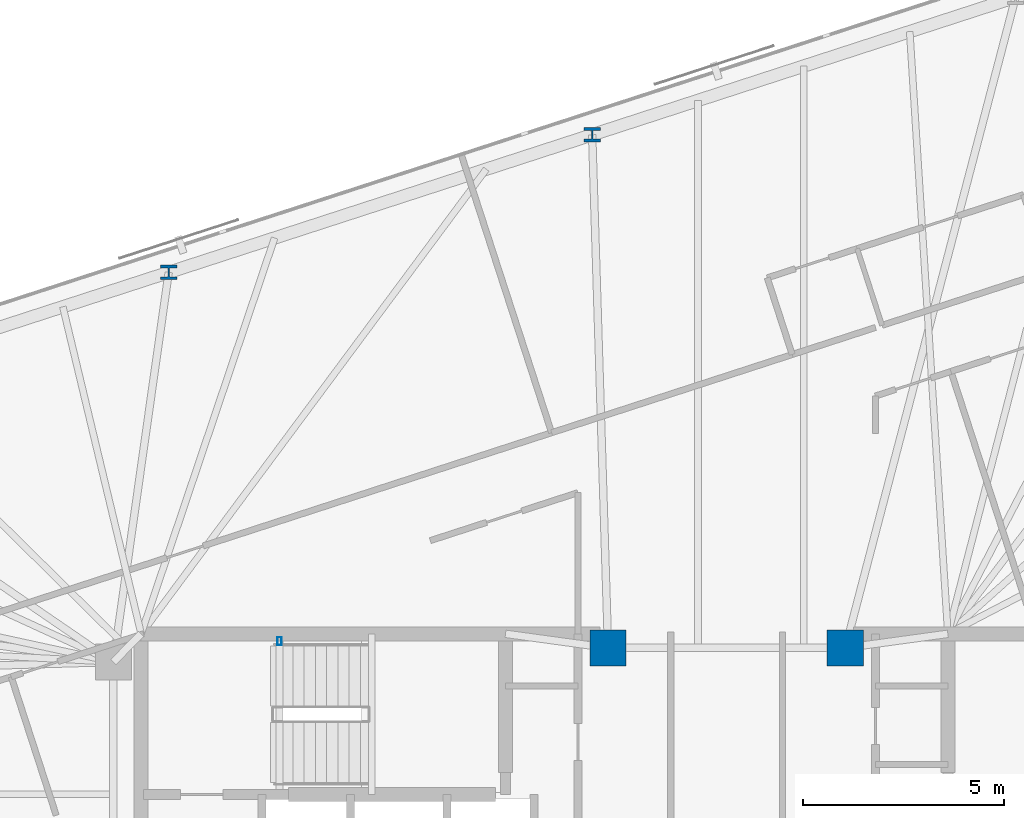
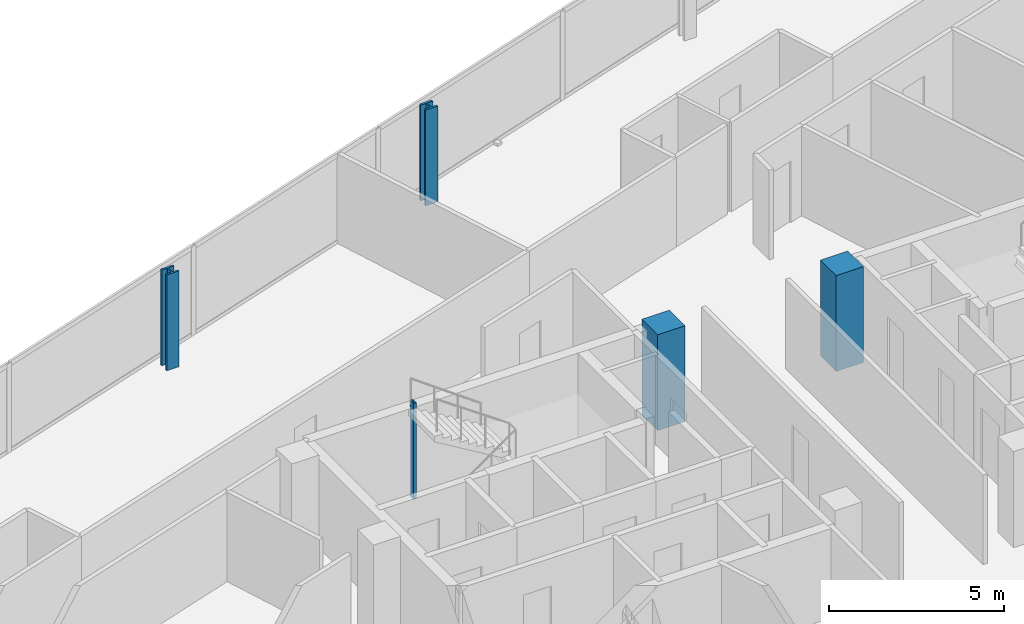
# One storey, part 2 of 19: 5 columns.
"""IFC4 building model written with IfcOpenShell, lengths in metres."""

import ifcopenshell
import ifcopenshell.guid

model = None  # the IFC model being written
_history = None  # IfcOwnerHistory: only IFC2X3 demands one
_inside = {}  # id of a spatial element -> (the spatial element, [elements in it])
_under = {}  # id of a project, library or spatial element -> (it, [spatial elements below it])
_declared = {}  # id of a project -> (the project, [libraries it declares])
_typed = {}  # id of a type object -> (the type object, [elements of that type])
_made_of = {}  # id of a material, layer set ... -> (it, [elements and type objects made of it])


def new_model(schema):
    """Start an empty IFC model of exactly this schema.

    Asked for "IFC4X3", IfcOpenShell would pick the latest addendum, in which some entities
    have other attributes; the version numbers below select the first issue.
    IFC2X3 requires an IfcOwnerHistory on every rooted entity: one is made here for all.
    """
    global model, _history
    if schema == "IFC4X3":
        model = ifcopenshell.file(schema_version=(4, 3, 0, 0))
    else:
        model = ifcopenshell.file(schema=schema)
    _inside.clear()
    _under.clear()
    _declared.clear()
    _typed.clear()
    _made_of.clear()
    _history = None
    if model.schema == "IFC2X3":
        org = make("IfcOrganization", Name="unknown")
        user = make(
            "IfcPersonAndOrganization",
            ThePerson=make("IfcPerson", FamilyName="unknown"),
            TheOrganization=org,
        )
        app = make(
            "IfcApplication",
            ApplicationDeveloper=org,
            Version="unknown",
            ApplicationFullName="unknown",
            ApplicationIdentifier="unknown",
        )
        _history = make(
            "IfcOwnerHistory",
            OwningUser=user,
            OwningApplication=app,
            ChangeAction="ADDED",
            CreationDate=0,
        )
    return model


def make(cls, **values):
    """One entity of the class cls with the attributes given. An attribute that is None is left unset."""
    return model.create_entity(
        cls, **{name: value for name, value in values.items() if value is not None}
    )


def rooted(cls, **values):
    """An entity with a GlobalId (a new one), such as an element, a storey or a relation."""
    return make(cls, GlobalId=ifcopenshell.guid.new(), OwnerHistory=_history, **values)


def si_unit(unit_type, name, prefix=None):
    """IfcSIUnit, for example si_unit("LENGTHUNIT", "METRE", prefix="MILLI")."""
    return make("IfcSIUnit", UnitType=unit_type, Prefix=prefix, Name=name)


def assignment(units):
    """IfcUnitAssignment: the units of a project."""
    return None if units is None else make("IfcUnitAssignment", Units=units)


def point(xyz):
    """IfcCartesianPoint."""
    return None if xyz is None else make("IfcCartesianPoint", Coordinates=xyz)


def direction(xyz):
    """IfcDirection."""
    return None if xyz is None else make("IfcDirection", DirectionRatios=xyz)


def frame(location, z_axis=None, x_axis=None):
    """IfcAxis2Placement3D, a coordinate frame: its origin and axes. An axis left out is left unset."""
    return make(
        "IfcAxis2Placement3D",
        Location=point(location),
        Axis=direction(z_axis),
        RefDirection=direction(x_axis),
    )


def frame_2d(location, x_axis=None):
    """IfcAxis2Placement2D, a coordinate frame in the plane: its origin and x axis."""
    return make(
        "IfcAxis2Placement2D", Location=point(location), RefDirection=direction(x_axis)
    )


def origin():
    """The frame at (0, 0, 0) with its axes left unset."""
    return frame((0.0, 0.0, 0.0))


def origin_2d():
    """The frame at (0, 0) in the plane with its x axis left unset."""
    return frame_2d((0.0, 0.0))


def place(relative_to, where):
    """IfcLocalPlacement: puts the frame where relative to a parent placement (None: the world)."""
    return make(
        "IfcLocalPlacement", PlacementRelTo=relative_to, RelativePlacement=where
    )


def context(
    kind, dimensions, precision=None, world=None, true_north=None, identifier=None
):
    """IfcGeometricRepresentationContext, for example the 3D "Model" context."""
    return make(
        "IfcGeometricRepresentationContext",
        ContextIdentifier=identifier,
        ContextType=kind,
        CoordinateSpaceDimension=dimensions,
        Precision=precision,
        WorldCoordinateSystem=world,
        TrueNorth=true_north,
    )


def subcontext(parent, identifier, kind, view, scale=None):
    """IfcGeometricRepresentationSubContext, for example "Body" below "Model"."""
    return make(
        "IfcGeometricRepresentationSubContext",
        ContextIdentifier=identifier,
        ContextType=kind,
        ParentContext=parent,
        TargetScale=scale,
        TargetView=view,
    )


def project(units=None, contexts=None):
    """IfcProject with its units and contexts."""
    return rooted(
        "IfcProject",
        Name="project",
        RepresentationContexts=contexts,
        UnitsInContext=assignment(units),
    )


def spatial(cls, under=None, at=None, **own):
    """A site, building, storey or space (cls), placed at a placement, below another one or the project."""
    s = rooted(cls, ObjectPlacement=at, **own)
    if under is not None:
        _under.setdefault(under.id(), (under, []))[1].append(s)
    return s


def profile(cls, at=None, kind="AREA", **sizes):
    """A parametric profile (cls). Its sizes go by their IFC names, for example OverallWidth=200.0."""
    return make(cls, ProfileType=kind, Position=at, **sizes)


def rectangle(**sizes):
    """IfcRectangleProfileDef."""
    return profile("IfcRectangleProfileDef", **sizes)


def hollow_rectangle(**sizes):
    """IfcRectangleHollowProfileDef."""
    return profile("IfcRectangleHollowProfileDef", **sizes)


def i_section(**sizes):
    """IfcIShapeProfileDef."""
    return profile("IfcIShapeProfileDef", **sizes)


def extrude(swept, where, along, depth):
    """IfcExtrudedAreaSolid: the profile swept, set in the frame where, extruded along a direction by depth."""
    return make(
        "IfcExtrudedAreaSolid",
        SweptArea=swept,
        Position=where,
        ExtrudedDirection=direction(along),
        Depth=depth,
    )


def shape(context_of_items, identifier, shape_type, items):
    """IfcShapeRepresentation: the items that make up one representation, for example the "Body"."""
    return make(
        "IfcShapeRepresentation",
        ContextOfItems=context_of_items,
        RepresentationIdentifier=identifier,
        RepresentationType=shape_type,
        Items=items,
    )


def material(Name=None, Category=None):
    """IfcMaterial."""
    return make("IfcMaterial", Name=Name, Category=Category)


def material_profile(
    of_material, cross_section, Name=None, Category=None, Priority=None
):
    """IfcMaterialProfile: a cross section and its material."""
    return make(
        "IfcMaterialProfile",
        Name=Name,
        Material=of_material,
        Profile=cross_section,
        Priority=Priority,
        Category=Category,
    )


def profile_set(profiles, Name=None, composite=None):
    """IfcMaterialProfileSet."""
    return make(
        "IfcMaterialProfileSet",
        Name=Name,
        MaterialProfiles=profiles,
        CompositeProfile=composite,
    )


def made_of(thing, what):
    """Note that an element or type object is made of a material, layer set ...; save() writes the relation."""
    if what is not None:
        _made_of.setdefault(what.id(), (what, []))[1].append(thing)
    return thing


def type_object(cls, material=None, **own):
    """A type object (cls), such as IfcWallType, which elements share."""
    return made_of(rooted(cls, **own), material)


def element(
    cls,
    number,
    at=None,
    inside=None,
    cuts=None,
    type_object=None,
    material=None,
    context=None,
    identifier="Body",
    shape_type=None,
    held_by="IfcProductDefinitionShape",
    body=None,
    shapes=None,
    **own,
):
    """One element of the class cls, such as IfcWall. Its Tag is "e" and its number.

    at: its placement. inside: the storey or other place that contains it. cuts: it is an
    opening in that element (IfcRelVoidsElement). A single representation is given by context,
    identifier, shape_type and body (its items); several are given by shapes. held_by: the class
    of the entity that holds the representations. save() writes the other relations.
    """
    e = rooted(cls, Tag="e%d" % number, ObjectPlacement=at, **own)
    if body is not None:
        shapes = [shape(context, identifier, shape_type, body)]
    if shapes is not None:
        e.Representation = make(held_by, Representations=shapes)
    if inside is not None:
        _inside.setdefault(inside.id(), (inside, []))[1].append(e)
    if cuts is not None:
        rooted(
            "IfcRelVoidsElement", RelatingBuildingElement=cuts, RelatedOpeningElement=e
        )
    if type_object is not None:
        _typed.setdefault(type_object.id(), (type_object, []))[1].append(e)
    return made_of(e, material)


def aggregate(whole, parts):
    """IfcRelAggregates: a whole, such as a stair, and the parts it consists of."""
    return rooted("IfcRelAggregates", RelatingObject=whole, RelatedObjects=parts)


def save(model, path):
    """Write the relations noted so far, then the file.

    IfcRelAggregates (storeys below a building ...), IfcRelContainedInSpatialStructure (elements
    in a storey), IfcRelDefinesByType, IfcRelAssociatesMaterial and IfcRelDeclares: one each for
    every whole, place, type object, material and project.
    """
    for whole, parts in _under.values():
        aggregate(whole, parts)
    for where, things in _inside.values():
        rooted(
            "IfcRelContainedInSpatialStructure",
            RelatedElements=things,
            RelatingStructure=where,
        )
    for kind, things in _typed.values():
        rooted("IfcRelDefinesByType", RelatedObjects=things, RelatingType=kind)
    for what, things in _made_of.values():
        rooted("IfcRelAssociatesMaterial", RelatedObjects=things, RelatingMaterial=what)
    for by, libraries in _declared.values():
        rooted("IfcRelDeclares", RelatingContext=by, RelatedDefinitions=libraries)
    model.write(path)


model = new_model("IFC4")

# Units and contexts
model_context = context("Model", 3, precision=1e-05, world=origin(), true_north=direction((0.0, 1.0)))
body_context = subcontext(model_context, "Body", "Model", "MODEL_VIEW")
ifc_project = project(units=[si_unit("LENGTHUNIT", "METRE"), si_unit("AREAUNIT", "SQUARE_METRE"), si_unit("VOLUMEUNIT", "CUBIC_METRE"), si_unit("PLANEANGLEUNIT", "RADIAN"), si_unit("MASSUNIT", "GRAM", prefix="KILO")], contexts=[model_context])

# Site, building, storey
site_placement = place(None, origin())
site = spatial("IfcSite", under=ifc_project, at=site_placement, CompositionType="ELEMENT")
building_placement = place(site_placement, origin())
building = spatial("IfcBuilding", under=site, at=building_placement, Name="Menara Jurai Vektor", CompositionType="ELEMENT")
storey_placement = place(building_placement, frame((0.0, 0.0, 214.25)))
storey = spatial("IfcBuildingStorey", under=building, at=storey_placement, Name="L56", CompositionType="ELEMENT", Elevation=214.25)

# Columns
ifc_material_1 = material(Name="Concrete C50/60", Category="concrete")
ifc_material_profile_1 = material_profile(ifc_material_1, rectangle(XDim=0.89990234375, YDim=0.89990234375, at=origin_2d()), Name="RC 900x900")
ifc_profile_set_1 = profile_set([ifc_material_profile_1], Name="Concrete C50/60")
column_type_1 = type_object("IfcColumnType", Name="STR-COL-RC900", PredefinedType="COLUMN", material=ifc_profile_set_1)
for number, where, z_axis, x_axis, name in (
    (1, (-2.949951171875, 5.25, 0.0), (0.0, 0.0, 1.0), (1.0, 0.0, 0.0), "Core Spine Column CW-NE L56"),
    (2, (2.949951171875, 5.25, 0.0), (0.0, 0.0, 1.0), (1.0, 0.0, 0.0), "Core Spine Column CE-NW L56"),
):
    element("IfcColumn", number, at=place(storey_placement, frame(where, z_axis=z_axis, x_axis=x_axis)), inside=storey, type_object=column_type_1, Name=name, PredefinedType="COLUMN", context=body_context, shape_type="SweptSolid", body=[
        extrude(rectangle(XDim=0.89990234375, YDim=0.89990234375, at=origin_2d()), origin(), (0.0, 0.0, 1.0), 3.35009765625),
    ])
ifc_material_2 = material(Name="Steel S355", Category="steel")
ifc_material_profile_2 = material_profile(ifc_material_2, hollow_rectangle(XDim=0.10009765625, YDim=0.199951171875, WallThickness=0.008056640625, at=origin_2d()), Name="RHS 200x100x8")
ifc_profile_set_2 = profile_set([ifc_material_profile_2], Name="Steel S355")
column_type_2 = type_object("IfcColumnType", Name="STR-COL-STAIR", PredefinedType="COLUMN", material=ifc_profile_set_2)
column_placement = place(storey_placement, frame((-11.1201171875, 5.419921875, 0.0), z_axis=(0.0, 0.0, 1.0), x_axis=(1.0, 0.0, 0.0)))
element("IfcColumn", 3, at=column_placement, inside=storey, type_object=column_type_2, Name="Stair Well Header Column ST1-P2 L56", PredefinedType="COLUMN", context=body_context, shape_type="SweptSolid", body=[
    extrude(hollow_rectangle(XDim=0.10009765625, YDim=0.199951171875, WallThickness=0.008056640625, at=origin_2d()), origin(), (0.0, 0.0, 1.0), 3.35009765625),
])
ifc_material_3 = material(Name="Steel S460", Category="steel")
ifc_material_profile_3 = material_profile(ifc_material_3, i_section(OverallWidth=0.405029296875, OverallDepth=0.35498046875, WebThickness=0.0419921875, FlangeThickness=0.068115234375, FilletRadius=0.014892578125, at=origin_2d()), Name="HD 400x551")
ifc_profile_set_3 = profile_set([ifc_material_profile_3], Name="Steel S460")
column_type_3 = type_object("IfcColumnType", Name="STR-EXO-BLK4", PredefinedType="COLUMN", material=ifc_profile_set_3)
for number, where, z_axis, x_axis, name in (
    (4, (-3.345703125, 18.008544921875, 0.0), (0.0, 0.0, 1.0), (1.0, 0.0, 0.0), "Exoskeleton Column BLK4-N3 L56"),
    (5, (-13.875, 14.58740234375, 0.0), (0.0, 0.0, 1.0), (1.0, 0.0, 0.0), "Exoskeleton Column BLK4-N4 L56"),
):
    element("IfcColumn", number, at=place(storey_placement, frame(where, z_axis=z_axis, x_axis=x_axis)), inside=storey, type_object=column_type_3, Name=name, PredefinedType="COLUMN", context=body_context, shape_type="SweptSolid", body=[
        extrude(i_section(OverallWidth=0.405029296875, OverallDepth=0.35498046875, WebThickness=0.0419921875, FlangeThickness=0.068115234375, FilletRadius=0.014892578125, at=origin_2d()), origin(), (0.0, 0.0, 1.0), 3.35009765625),
    ])

save(model, "model.ifc")
